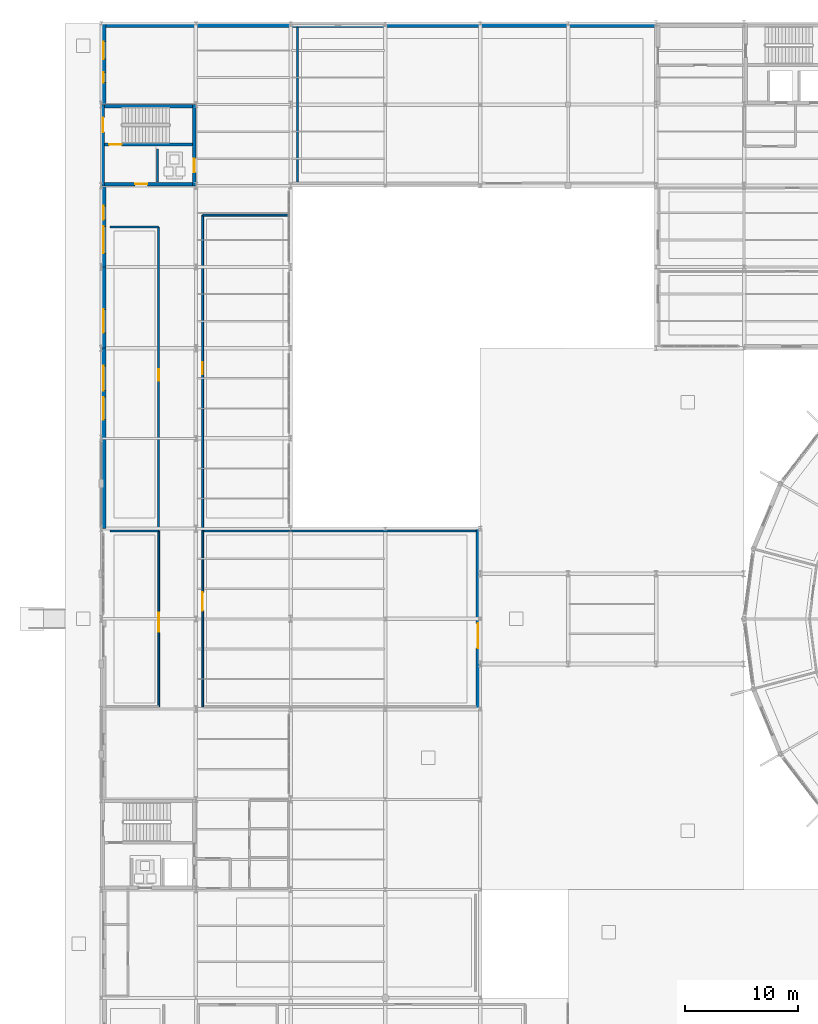
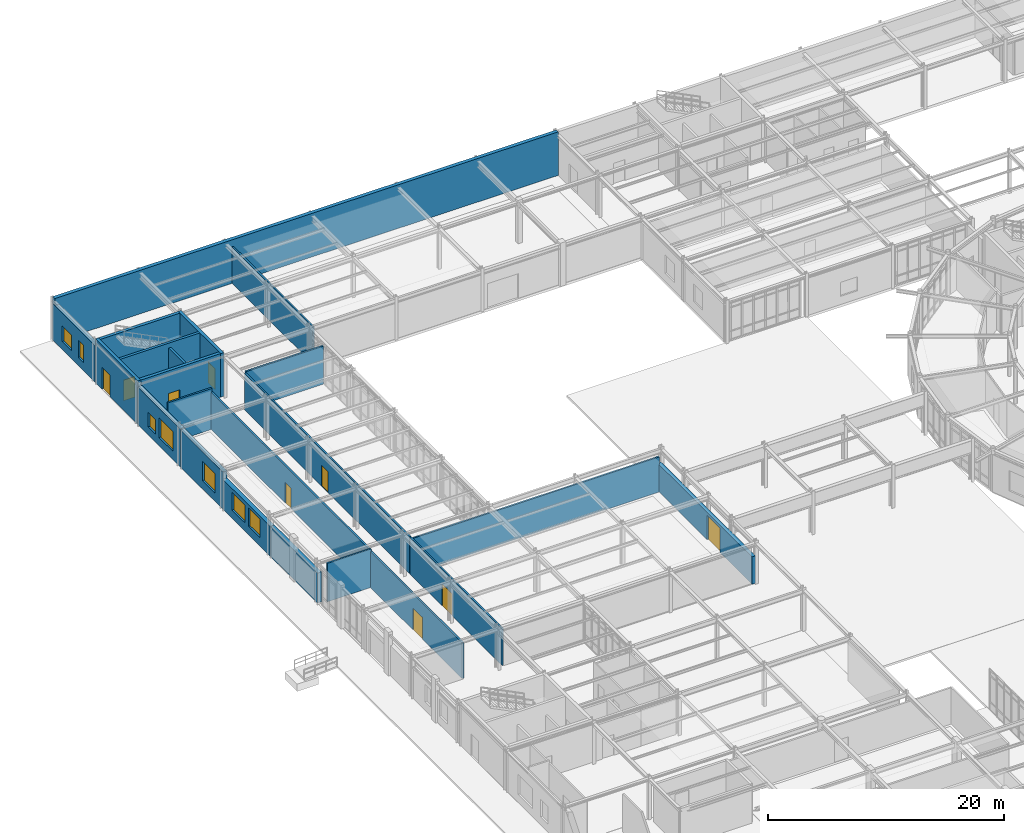
# One storey, part 83 of 101: 22 walls, 9 doors, 7 windows, 16 openings.
"""IFC4 building model written with IfcOpenShell, lengths in metres."""

from ifc_helpers import new_model, si_unit, derived_unit, direction, frame, frame_2d, origin, place, context, subcontext, project, spatial, rectangle, extrude, material, layer, layer_set, type_object, element, fill, save


model = new_model("IFC4")

# Units and contexts
model_context = context("Model", 3, precision=1e-05, world=origin(), true_north=direction((0.0, 1.0)))
body_context = subcontext(model_context, "Body", "Model", "MODEL_VIEW")
ifc_project = project(units=[si_unit("LENGTHUNIT", "METRE"), si_unit("AREAUNIT", "SQUARE_METRE"), si_unit("VOLUMEUNIT", "CUBIC_METRE"), si_unit("PLANEANGLEUNIT", "RADIAN"), si_unit("MASSUNIT", "GRAM", prefix="KILO"), derived_unit("THERMALTRANSMITTANCEUNIT", [(si_unit("POWERUNIT", "WATT"), 1), (si_unit("AREAUNIT", "SQUARE_METRE"), -1), (si_unit("THERMODYNAMICTEMPERATUREUNIT", "KELVIN"), -1)])], contexts=[model_context])

# Site, building, storey
site_placement = place(None, origin())
site = spatial("IfcSite", under=ifc_project, at=site_placement, CompositionType="ELEMENT")
building_placement = place(site_placement, origin())
building = spatial("IfcBuilding", under=site, at=building_placement, Name="Yasenodar Specialist Clinic", CompositionType="ELEMENT")
storey_placement = place(building_placement, origin())
storey = spatial("IfcBuildingStorey", under=building, at=storey_placement, Name="L00", CompositionType="ELEMENT", Elevation=0.0)

# Wall
ifc_material_1 = material(Name="Kapustianske Red Granite Ashlar Rainscreen", Category="masonry")
ifc_layer_1 = layer(ifc_material_1, 0.419921875)
ifc_layer_set_1 = layer_set([ifc_layer_1], Name="Kapustianske Red Granite Ashlar Rainscreen")
wall_type_1 = type_object("IfcWallType", Name="EW-GRAN-420", PredefinedType="SOLIDWALL", material=ifc_layer_set_1)
wall_1_placement = place(storey_placement, frame((0.199951171875, 66.800048828125, 0.0), z_axis=(0.0, 0.0, 1.0), x_axis=(0.0, 1.0, 0.0)))
element("IfcWall", 1, at=wall_1_placement, inside=storey, type_object=wall_type_1, Name="L00 Exterior Facade Wall 0083", PredefinedType="SOLIDWALL", context=body_context, shape_type="SweptSolid", body=[
    extrude(rectangle(XDim=8.0, YDim=0.419921875, at=frame_2d((4.0, 0.0))), origin(), (0.0, 0.0, 1.0), 3.077880859375),
])

# Wall, openings, windows
wall_2_placement = place(storey_placement, frame((0.199951171875, 74.800048828125, 0.0), z_axis=(0.0, 0.0, 1.0), x_axis=(0.0, 1.0, 0.0)))
wall_2 = element("IfcWall", 2, at=wall_2_placement, inside=storey, type_object=wall_type_1, Name="L00 Exterior Facade Wall 0084", PredefinedType="SOLIDWALL", context=body_context, shape_type="SweptSolid", body=[
    extrude(rectangle(XDim=8.0, YDim=0.419921875, at=frame_2d((4.0, 0.0))), origin(), (0.0, 0.0, 1.0), 3.077880859375),
])
opening_1_placement = place(wall_2_placement, frame((1.666748046875, 0.0, 0.85009765625)))
opening_1 = element("IfcOpeningElement", 3, at=opening_1_placement, cuts=wall_2, Name="Opening W-06", PredefinedType="OPENING", context=body_context, shape_type="SweptSolid", body=[
    extrude(rectangle(XDim=2.0, YDim=1.949951171875, at=frame_2d((1.0, 0.97509765625))), frame((0.0, 0.219970703125, 0.0), z_axis=(0.0, -1.0, 0.0), x_axis=(1.0, 0.0, 0.0)), (0.0, 0.0, 1.0), 0.43994140625),
])
opening_2_placement = place(wall_2_placement, frame((4.2333984375, 0.0, 0.85009765625)))
opening_2 = element("IfcOpeningElement", 4, at=opening_2_placement, cuts=wall_2, Name="Opening W-13", PredefinedType="OPENING", context=body_context, shape_type="SweptSolid", body=[
    extrude(rectangle(XDim=2.199951171875, YDim=1.85009765625, at=frame_2d((1.10009765625, 0.925048828125))), frame((0.0, 0.219970703125, 0.0), z_axis=(0.0, -1.0, 0.0), x_axis=(1.0, 0.0, 0.0)), (0.0, 0.0, 1.0), 0.43994140625),
])
ifc_material_2 = material(Name="Triple Low-E Argon Glazing in Bronze Aluminium Frame", Category="aluminium")
window_type_1 = type_object("IfcWindowType", Name="WIN-EXT-06", PartitioningType="SINGLE_PANEL", PredefinedType="WINDOW", material=ifc_material_2)
window_1_placement = place(opening_1_placement, origin())
window_1 = element("IfcWindow", 5, at=window_1_placement, inside=storey, type_object=window_type_1, Name="L00 Triple-Glazed Reveal Window 0070", OverallHeight=1.949951171875, OverallWidth=2.0, PartitioningType="SINGLE_PANEL", PredefinedType="WINDOW", context=body_context, shape_type="SweptSolid", body=[
    extrude(rectangle(XDim=2.0, YDim=1.949951171875, at=frame_2d((1.0, 0.97509765625))), frame((0.0, 0.030029296875, 0.0), z_axis=(0.0, -1.0, 0.0), x_axis=(1.0, 0.0, 0.0)), (0.0, 0.0, 1.0), 0.06005859375),
])
fill(opening_1, window_1)
window_type_2 = type_object("IfcWindowType", Name="WIN-EXT-13", PartitioningType="SINGLE_PANEL", PredefinedType="WINDOW", material=ifc_material_2)
window_2_placement = place(opening_2_placement, origin())
window_2 = element("IfcWindow", 6, at=window_2_placement, inside=storey, type_object=window_type_2, Name="L00 Triple-Glazed Reveal Window 0071", OverallHeight=1.85009765625, OverallWidth=2.199951171875, PartitioningType="SINGLE_PANEL", PredefinedType="WINDOW", context=body_context, shape_type="SweptSolid", body=[
    extrude(rectangle(XDim=2.199951171875, YDim=1.85009765625, at=frame_2d((1.10009765625, 0.925048828125))), frame((0.0, 0.030029296875, 0.0), z_axis=(0.0, -1.0, 0.0), x_axis=(1.0, 0.0, 0.0)), (0.0, 0.0, 1.0), 0.06005859375),
])
fill(opening_2, window_2)

# Wall, opening, window
wall_3_placement = place(storey_placement, frame((0.199951171875, 82.800048828125, 0.0), z_axis=(0.0, 0.0, 1.0), x_axis=(0.0, 1.0, 0.0)))
wall_3 = element("IfcWall", 7, at=wall_3_placement, inside=storey, type_object=wall_type_1, Name="L00 Exterior Facade Wall 0085", PredefinedType="SOLIDWALL", context=body_context, shape_type="SweptSolid", body=[
    extrude(rectangle(XDim=7.199951171875, YDim=0.419921875, at=frame_2d((3.60009765625, 0.0))), origin(), (0.0, 0.0, 1.0), 3.837890625),
])
opening_3_placement = place(wall_3_placement, frame((1.35009765625, 0.0, 0.85009765625)))
opening_3 = element("IfcOpeningElement", 8, at=opening_3_placement, cuts=wall_3, Name="Opening W-07", PredefinedType="OPENING", context=body_context, shape_type="SweptSolid", body=[
    extrude(rectangle(XDim=2.10009765625, YDim=2.0, at=frame_2d((1.050048828125, 1.0))), frame((0.0, 0.219970703125, 0.0), z_axis=(0.0, -1.0, 0.0), x_axis=(1.0, 0.0, 0.0)), (0.0, 0.0, 1.0), 0.43994140625),
])
window_type_3 = type_object("IfcWindowType", Name="WIN-EXT-07", PartitioningType="SINGLE_PANEL", PredefinedType="WINDOW", material=ifc_material_2)
window_3_placement = place(opening_3_placement, origin())
window_3 = element("IfcWindow", 9, at=window_3_placement, inside=storey, type_object=window_type_3, Name="L00 Triple-Glazed Reveal Window 0072", OverallHeight=2.0, OverallWidth=2.10009765625, PartitioningType="SINGLE_PANEL", PredefinedType="WINDOW", context=body_context, shape_type="SweptSolid", body=[
    extrude(rectangle(XDim=2.10009765625, YDim=2.0, at=frame_2d((1.050048828125, 1.0))), frame((0.0, 0.030029296875, 0.0), z_axis=(0.0, -1.0, 0.0), x_axis=(1.0, 0.0, 0.0)), (0.0, 0.0, 1.0), 0.06005859375),
])
fill(opening_3, window_3)

# Wall, openings, windows
wall_4_placement = place(storey_placement, frame((0.199951171875, 90.0, 0.0), z_axis=(0.0, 0.0, 1.0), x_axis=(0.0, 1.0, 0.0)))
wall_4 = element("IfcWall", 10, at=wall_4_placement, inside=storey, type_object=wall_type_1, Name="L00 Exterior Facade Wall 0086", PredefinedType="SOLIDWALL", context=body_context, shape_type="SweptSolid", body=[
    extrude(rectangle(XDim=7.199951171875, YDim=0.419921875, at=frame_2d((3.60009765625, 0.0))), origin(), (0.0, 0.0, 1.0), 3.89794921875),
])
opening_4_placement = place(wall_4_placement, frame((1.199951171875, 0.0, 0.85009765625)))
opening_4 = element("IfcOpeningElement", 11, at=opening_4_placement, cuts=wall_4, Name="Opening W-08", PredefinedType="OPENING", context=body_context, shape_type="SweptSolid", body=[
    extrude(rectangle(XDim=2.39990234375, YDim=2.050048828125, at=frame_2d((1.199951171875, 1.02490234375))), frame((0.0, 0.219970703125, 0.0), z_axis=(0.0, -1.0, 0.0), x_axis=(1.0, 0.0, 0.0)), (0.0, 0.0, 1.0), 0.43994140625),
])
opening_5_placement = place(wall_4_placement, frame((4.175048828125, 0.0, 0.85009765625)))
opening_5 = element("IfcOpeningElement", 12, at=opening_5_placement, cuts=wall_4, Name="Opening W-15", PredefinedType="OPENING", context=body_context, shape_type="SweptSolid", body=[
    extrude(rectangle(XDim=1.25, YDim=1.5, at=frame_2d((0.625, 0.75))), frame((0.0, 0.219970703125, 0.0), z_axis=(0.0, -1.0, 0.0), x_axis=(1.0, 0.0, 0.0)), (0.0, 0.0, 1.0), 0.43994140625),
])
window_type_4 = type_object("IfcWindowType", Name="WIN-EXT-08", PartitioningType="SINGLE_PANEL", PredefinedType="WINDOW", material=ifc_material_2)
window_4_placement = place(opening_4_placement, origin())
window_4 = element("IfcWindow", 13, at=window_4_placement, inside=storey, type_object=window_type_4, Name="L00 Triple-Glazed Reveal Window 0073", OverallHeight=2.050048828125, OverallWidth=2.39990234375, PartitioningType="SINGLE_PANEL", PredefinedType="WINDOW", context=body_context, shape_type="SweptSolid", body=[
    extrude(rectangle(XDim=2.39990234375, YDim=2.050048828125, at=frame_2d((1.199951171875, 1.02490234375))), frame((0.0, 0.030029296875, 0.0), z_axis=(0.0, -1.0, 0.0), x_axis=(1.0, 0.0, 0.0)), (0.0, 0.0, 1.0), 0.06005859375),
])
fill(opening_4, window_4)
window_type_5 = type_object("IfcWindowType", Name="WIN-EXT-15", PartitioningType="SINGLE_PANEL", PredefinedType="WINDOW", material=ifc_material_2)
window_5_placement = place(opening_5_placement, origin())
window_5 = element("IfcWindow", 14, at=window_5_placement, inside=storey, type_object=window_type_5, Name="L00 Triple-Glazed Reveal Window 0074", OverallHeight=1.5, OverallWidth=1.25, PartitioningType="SINGLE_PANEL", PredefinedType="WINDOW", context=body_context, shape_type="SweptSolid", body=[
    extrude(rectangle(XDim=1.25, YDim=1.5, at=frame_2d((0.625, 0.75))), frame((0.0, 0.030029296875, 0.0), z_axis=(0.0, -1.0, 0.0), x_axis=(1.0, 0.0, 0.0)), (0.0, 0.0, 1.0), 0.06005859375),
])
fill(opening_5, window_5)

wall_5_placement = place(storey_placement, frame((0.199951171875, 104.39990234375, 0.0), z_axis=(0.0, 0.0, 1.0), x_axis=(0.0, 1.0, 0.0)))
wall_5 = element("IfcWall", 15, at=wall_5_placement, inside=storey, type_object=wall_type_1, Name="L00 Exterior Facade Wall 0087", PredefinedType="SOLIDWALL", context=body_context, shape_type="SweptSolid", body=[
    extrude(rectangle(XDim=7.2001953125, YDim=0.419921875, at=frame_2d((3.60009765625, 0.0))), origin(), (0.0, 0.0, 1.0), 3.778076171875),
])
opening_6_placement = place(wall_5_placement, frame((1.949951171875, 0.0, 0.85009765625)))
opening_6 = element("IfcOpeningElement", 16, at=opening_6_placement, cuts=wall_5, Name="Opening W-09", PredefinedType="OPENING", context=body_context, shape_type="SweptSolid", body=[
    extrude(rectangle(XDim=0.89990234375, YDim=1.800048828125, at=frame_2d((0.449951171875, 0.89990234375))), frame((0.0, 0.219970703125, 0.0), z_axis=(0.0, -1.0, 0.0), x_axis=(1.0, 0.0, 0.0)), (0.0, 0.0, 1.0), 0.43994140625),
])
opening_7_placement = place(wall_5_placement, frame((4.02490234375, 0.0, 0.85009765625)))
opening_7 = element("IfcOpeningElement", 17, at=opening_7_placement, cuts=wall_5, Name="Opening W-16", PredefinedType="OPENING", context=body_context, shape_type="SweptSolid", body=[
    extrude(rectangle(XDim=1.550048828125, YDim=1.60009765625, at=frame_2d((0.77490234375, 0.800048828125))), frame((0.0, 0.219970703125, 0.0), z_axis=(0.0, -1.0, 0.0), x_axis=(1.0, 0.0, 0.0)), (0.0, 0.0, 1.0), 0.43994140625),
])
window_type_6 = type_object("IfcWindowType", Name="WIN-EXT-09", PartitioningType="SINGLE_PANEL", PredefinedType="WINDOW", material=ifc_material_2)
window_6_placement = place(opening_6_placement, origin())
window_6 = element("IfcWindow", 18, at=window_6_placement, inside=storey, type_object=window_type_6, Name="L00 Triple-Glazed Reveal Window 0075", OverallHeight=1.800048828125, OverallWidth=0.89990234375, PartitioningType="SINGLE_PANEL", PredefinedType="WINDOW", context=body_context, shape_type="SweptSolid", body=[
    extrude(rectangle(XDim=0.89990234375, YDim=1.800048828125, at=frame_2d((0.449951171875, 0.89990234375))), frame((0.0, 0.030029296875, 0.0), z_axis=(0.0, -1.0, 0.0), x_axis=(1.0, 0.0, 0.0)), (0.0, 0.0, 1.0), 0.06005859375),
])
fill(opening_6, window_6)
window_type_7 = type_object("IfcWindowType", Name="WIN-EXT-16", PartitioningType="SINGLE_PANEL", PredefinedType="WINDOW", material=ifc_material_2)
window_7_placement = place(opening_7_placement, origin())
window_7 = element("IfcWindow", 19, at=window_7_placement, inside=storey, type_object=window_type_7, Name="L00 Triple-Glazed Reveal Window 0076", OverallHeight=1.60009765625, OverallWidth=1.550048828125, PartitioningType="SINGLE_PANEL", PredefinedType="WINDOW", context=body_context, shape_type="SweptSolid", body=[
    extrude(rectangle(XDim=1.550048828125, YDim=1.60009765625, at=frame_2d((0.77490234375, 0.800048828125))), frame((0.0, 0.030029296875, 0.0), z_axis=(0.0, -1.0, 0.0), x_axis=(1.0, 0.0, 0.0)), (0.0, 0.0, 1.0), 0.06005859375),
])
fill(opening_7, window_7)

# Wall, opening, door
ifc_material_3 = material(Name="Buff Architectural Terracotta Rainscreen", Category="masonry")
ifc_layer_2 = layer(ifc_material_3, 0.340087890625)
ifc_layer_set_2 = layer_set([ifc_layer_2], Name="Buff Architectural Terracotta Rainscreen")
wall_type_2 = type_object("IfcWallType", Name="EW-TERR-340", PredefinedType="SOLIDWALL", material=ifc_layer_set_2)
wall_6_placement = place(storey_placement, frame((33.39990234375, 66.800048828125, 0.0), z_axis=(0.0, 0.0, 1.0), x_axis=(0.0, -1.0, 0.0)))
wall_6 = element("IfcWall", 20, at=wall_6_placement, inside=storey, type_object=wall_type_2, Name="L00 Exterior Facade Wall 0088", PredefinedType="SOLIDWALL", context=body_context, shape_type="SweptSolid", body=[
    extrude(rectangle(XDim=16.0, YDim=0.340087890625, at=frame_2d((8.0, 0.0))), origin(), (0.0, 0.0, 1.0), 2.827880859375),
])
opening_8_placement = place(wall_6_placement, frame((8.39990234375, 0.0, 0.0)))
opening_8 = element("IfcOpeningElement", 21, at=opening_8_placement, cuts=wall_6, Name="Opening EX-04", PredefinedType="OPENING", context=body_context, shape_type="SweptSolid", body=[
    extrude(rectangle(XDim=2.199951171875, YDim=2.5, at=frame_2d((1.10009765625, 1.25))), frame((0.0, 0.18017578125, 0.0), z_axis=(0.0, -1.0, 0.0), x_axis=(1.0, 0.0, 0.0)), (0.0, 0.0, 1.0), 0.360107421875),
])
ifc_material_4 = material(Name="Thermally Broken Bronze Anodized Aluminium and Laminated Glass", Category="aluminium")
door_type_1 = type_object("IfcDoorType", Name="DR-EX-220", OperationType="DOUBLE_DOOR_SINGLE_SWING", PredefinedType="DOOR", material=ifc_material_4)
door_1_placement = place(opening_8_placement, origin())
door_1 = element("IfcDoor", 22, at=door_1_placement, inside=storey, type_object=door_type_1, Name="L00 Arrival Forecourt Outpatient Exit EX-09", OperationType="DOUBLE_DOOR_SINGLE_SWING", OverallHeight=2.5, OverallWidth=2.199951171875, PredefinedType="DOOR", context=body_context, shape_type="SweptSolid", body=[
    extrude(rectangle(XDim=2.199951171875, YDim=2.5, at=frame_2d((1.10009765625, 1.25))), frame((0.0, 0.02490234375, 0.0), z_axis=(0.0, -1.0, 0.0), x_axis=(1.0, 0.0, 0.0)), (0.0, 0.0, 1.0), 0.050048828125),
])
fill(opening_8, door_1)

ifc_material_5 = material(Name="Acoustic Double-Gypsum Consulting Partition")
ifc_layer_3 = layer(ifc_material_5, 0.159912109375)
ifc_layer_set_3 = layer_set([ifc_layer_3], Name="Acoustic Double-Gypsum Consulting Partition")
wall_type_3 = type_object("IfcWallType", Name="IW-CONS-160", PredefinedType="PARTITIONING", material=ifc_layer_set_3)
wall_7_placement = place(storey_placement, frame((5.10009765625, 66.60009765625, 0.0), z_axis=(0.0, 0.0, 1.0), x_axis=(0.0, -1.0, 0.0)))
wall_7 = element("IfcWall", 23, at=wall_7_placement, inside=storey, type_object=wall_type_3, Name="L00 Pishtaq Entrance Hall Partition", PredefinedType="PARTITIONING", context=body_context, shape_type="SweptSolid", body=[
    extrude(rectangle(XDim=15.60009765625, YDim=0.159912109375, at=frame_2d((7.800048828125, 0.0))), origin(), (0.0, 0.0, 1.0), 3.72802734375),
])
opening_9_placement = place(wall_7_placement, frame((7.25, 0.0, 0.0)))
opening_9 = element("IfcOpeningElement", 24, at=opening_9_placement, cuts=wall_7, Name="Opening D-10", PredefinedType="OPENING", context=body_context, shape_type="SweptSolid", body=[
    extrude(rectangle(XDim=1.679931640625, YDim=2.260009765625, at=frame_2d((0.83984375, 1.1298828125))), frame((0.0, 0.08984375, 0.0), z_axis=(0.0, -1.0, 0.0), x_axis=(1.0, 0.0, 0.0)), (0.0, 0.0, 1.0), 0.179931640625),
])
ifc_material_6 = material(Name="Powder-Coated Steel and Acoustic Laminate Leaf", Category="steel")
door_type_2 = type_object("IfcDoorType", Name="DR-BED-168", OperationType="DOUBLE_DOOR_SINGLE_SWING", PredefinedType="DOOR", material=ifc_material_6)
door_2_placement = place(opening_9_placement, origin())
door_2 = element("IfcDoor", 25, at=door_2_placement, inside=storey, type_object=door_type_2, Name="L00 Pishtaq Entrance Hall Door", OperationType="DOUBLE_DOOR_SINGLE_SWING", OverallHeight=2.260009765625, OverallWidth=1.679931640625, PredefinedType="DOOR", context=body_context, shape_type="SweptSolid", body=[
    extrude(rectangle(XDim=1.679931640625, YDim=2.260009765625, at=frame_2d((0.83984375, 1.1298828125))), frame((0.0, 0.02490234375, 0.0), z_axis=(0.0, -1.0, 0.0), x_axis=(1.0, 0.0, 0.0)), (0.0, 0.0, 1.0), 0.050048828125),
])
fill(opening_9, door_2)

# Wall
wall_8_placement = place(storey_placement, frame((0.800048828125, 66.60009765625, 0.0), z_axis=(0.0, 0.0, 1.0), x_axis=(1.0, 0.0, 0.0)))
element("IfcWall", 26, at=wall_8_placement, inside=storey, type_object=wall_type_3, Name="L00 Pishtaq Entrance Hall Partition", PredefinedType="PARTITIONING", context=body_context, shape_type="SweptSolid", body=[
    extrude(rectangle(XDim=4.300048828125, YDim=0.159912109375, at=frame_2d((2.14990234375, 0.0))), origin(), (0.0, 0.0, 1.0), 3.97802734375),
])

# Wall, opening, door
wall_9_placement = place(storey_placement, frame((9.0, 51.0, 0.0), z_axis=(0.0, 0.0, 1.0), x_axis=(0.0, 1.0, 0.0)))
wall_9 = element("IfcWall", 27, at=wall_9_placement, inside=storey, type_object=wall_type_3, Name="L00 Outpatient Registration and Triage Hall Partition", PredefinedType="PARTITIONING", context=body_context, shape_type="SweptSolid", body=[
    extrude(rectangle(XDim=15.60009765625, YDim=0.159912109375, at=frame_2d((7.800048828125, 0.0))), origin(), (0.0, 0.0, 1.0), 3.778076171875),
])
opening_10_placement = place(wall_9_placement, frame((8.5, 0.0, 0.0)))
opening_10 = element("IfcOpeningElement", 28, at=opening_10_placement, cuts=wall_9, Name="Opening D-10", PredefinedType="OPENING", context=body_context, shape_type="SweptSolid", body=[
    extrude(rectangle(XDim=1.679931640625, YDim=2.260009765625, at=frame_2d((0.83984375, 1.1298828125))), frame((0.0, 0.08984375, 0.0), z_axis=(0.0, -1.0, 0.0), x_axis=(1.0, 0.0, 0.0)), (0.0, 0.0, 1.0), 0.179931640625),
])
door_3_placement = place(opening_10_placement, origin())
door_3 = element("IfcDoor", 29, at=door_3_placement, inside=storey, type_object=door_type_2, Name="L00 Outpatient Registration and Triage Hall Door", OperationType="DOUBLE_DOOR_SINGLE_SWING", OverallHeight=2.260009765625, OverallWidth=1.679931640625, PredefinedType="DOOR", context=body_context, shape_type="SweptSolid", body=[
    extrude(rectangle(XDim=1.679931640625, YDim=2.260009765625, at=frame_2d((0.83984375, 1.1298828125))), frame((0.0, 0.02490234375, 0.0), z_axis=(0.0, -1.0, 0.0), x_axis=(1.0, 0.0, 0.0)), (0.0, 0.0, 1.0), 0.050048828125),
])
fill(opening_10, door_3)

# Walls
wall_10_placement = place(storey_placement, frame((9.0, 66.60009765625, 0.0), z_axis=(0.0, 0.0, 1.0), x_axis=(1.0, 0.0, 0.0)))
element("IfcWall", 30, at=wall_10_placement, inside=storey, type_object=wall_type_3, Name="L00 Outpatient Registration and Triage Hall Partition", PredefinedType="PARTITIONING", context=body_context, shape_type="SweptSolid", body=[
    extrude(rectangle(XDim=24.25, YDim=0.159912109375, at=frame_2d((12.125, 0.0))), origin(), (0.0, 0.0, 1.0), 3.6279296875),
])
wall_11_placement = place(storey_placement, frame((17.39990234375, 97.53759765625, 0.0), z_axis=(0.0, 0.0, 1.0), x_axis=(0.0, 1.0, 0.0)))
element("IfcWall", 31, at=wall_11_placement, inside=storey, type_object=wall_type_3, Name="L00 Outpatient Dispensary Pharmacy Partition", PredefinedType="PARTITIONING", context=body_context, shape_type="SweptSolid", body=[
    extrude(rectangle(XDim=13.732421875, YDim=0.159912109375, at=frame_2d((6.8662109375, 0.0))), origin(), (0.0, 0.0, 1.0), 3.7880859375),
])

# Wall, opening, door
ifc_material_7 = material(Name="Cleanroom Laboratory Partition")
ifc_layer_4 = layer(ifc_material_7, 0.169921875)
ifc_layer_set_4 = layer_set([ifc_layer_4], Name="Cleanroom Laboratory Partition")
wall_type_4 = type_object("IfcWallType", Name="IW-LAB-170", PredefinedType="PARTITIONING", material=ifc_layer_set_4)
wall_12_placement = place(storey_placement, frame((9.0, 94.60009765625, 0.0), z_axis=(0.0, 0.0, 1.0), x_axis=(0.0, -1.0, 0.0)))
wall_12 = element("IfcWall", 32, at=wall_12_placement, inside=storey, type_object=wall_type_4, Name="L00 Family Medicine Consulting Suite Partition", PredefinedType="PARTITIONING", context=body_context, shape_type="SweptSolid", body=[
    extrude(rectangle(XDim=27.940185546875, YDim=0.169921875, at=frame_2d((13.97021484375, 0.0))), origin(), (0.0, 0.0, 1.0), 3.7880859375),
])
opening_11_placement = place(wall_12_placement, frame((13.050048828125, 0.0, 0.0)))
opening_11 = element("IfcOpeningElement", 33, at=opening_11_placement, cuts=wall_12, Name="Opening D-04", PredefinedType="OPENING", context=body_context, shape_type="SweptSolid", body=[
    extrude(rectangle(XDim=1.06005859375, YDim=2.159912109375, at=frame_2d((0.530029296875, 1.080078125))), frame((0.0, 0.094970703125, 0.0), z_axis=(0.0, -1.0, 0.0), x_axis=(1.0, 0.0, 0.0)), (0.0, 0.0, 1.0), 0.18994140625),
])
door_type_3 = type_object("IfcDoorType", Name="DR-CLN-106", OperationType="NOTDEFINED", PredefinedType="DOOR", material=ifc_material_6)
door_4_placement = place(opening_11_placement, origin())
door_4 = element("IfcDoor", 34, at=door_4_placement, inside=storey, type_object=door_type_3, Name="L00 Family Medicine Consulting Suite Door", OperationType="SINGLE_SWING_LEFT", OverallHeight=2.159912109375, OverallWidth=1.06005859375, PredefinedType="DOOR", context=body_context, shape_type="SweptSolid", body=[
    extrude(rectangle(XDim=1.06005859375, YDim=2.159912109375, at=frame_2d((0.530029296875, 1.080078125))), frame((0.0, 0.02490234375, 0.0), z_axis=(0.0, -1.0, 0.0), x_axis=(1.0, 0.0, 0.0)), (0.0, 0.0, 1.0), 0.050048828125),
])
fill(opening_11, door_4)

# Wall
wall_13_placement = place(storey_placement, frame((16.590087890625, 94.60009765625, 0.0), z_axis=(0.0, 0.0, 1.0), x_axis=(-1.0, 0.0, 0.0)))
element("IfcWall", 35, at=wall_13_placement, inside=storey, type_object=wall_type_4, Name="L00 Family Medicine Consulting Suite Partition", PredefinedType="PARTITIONING", context=body_context, shape_type="SweptSolid", body=[
    extrude(rectangle(XDim=7.590087890625, YDim=0.169921875, at=frame_2d((3.794921875, 0.0))), origin(), (0.0, 0.0, 1.0), 3.927978515625),
])

# Wall, opening, door
ifc_material_8 = material(Name="Hygienic Double-Stud Clinical Partition")
ifc_layer_5 = layer(ifc_material_8, 0.179931640625)
ifc_layer_set_5 = layer_set([ifc_layer_5], Name="Hygienic Double-Stud Clinical Partition")
wall_type_5 = type_object("IfcWallType", Name="IW-PROC-180", PredefinedType="PARTITIONING", material=ifc_layer_set_5)
wall_14_placement = place(storey_placement, frame((5.10009765625, 66.659912109375, 0.0), z_axis=(0.0, 0.0, 1.0), x_axis=(0.0, 1.0, 0.0)))
wall_14 = element("IfcWall", 36, at=wall_14_placement, inside=storey, type_object=wall_type_5, Name="L00 Internal Medicine Examination Rooms Partition", PredefinedType="PARTITIONING", context=body_context, shape_type="SweptSolid", body=[
    extrude(rectangle(XDim=26.89013671875, YDim=0.179931640625, at=frame_2d((13.445068359375, 0.0))), origin(), (0.0, 0.0, 1.0), 3.827880859375),
])
opening_12_placement = place(wall_14_placement, frame((13.264892578125, 0.0, 0.0)))
opening_12 = element("IfcOpeningElement", 37, at=opening_12_placement, cuts=wall_14, Name="Opening D-03", PredefinedType="OPENING", context=body_context, shape_type="SweptSolid", body=[
    extrude(rectangle(XDim=1.02001953125, YDim=2.14990234375, at=frame_2d((0.510009765625, 1.074951171875))), frame((0.0, 0.10009765625, 0.0), z_axis=(0.0, -1.0, 0.0), x_axis=(1.0, 0.0, 0.0)), (0.0, 0.0, 1.0), 0.199951171875),
])
door_type_4 = type_object("IfcDoorType", Name="DR-CLN-102", OperationType="NOTDEFINED", PredefinedType="DOOR", material=ifc_material_6)
door_5_placement = place(opening_12_placement, origin())
door_5 = element("IfcDoor", 38, at=door_5_placement, inside=storey, type_object=door_type_4, Name="L00 Internal Medicine Examination Rooms Door", OperationType="SINGLE_SWING_RIGHT", OverallHeight=2.14990234375, OverallWidth=1.02001953125, PredefinedType="DOOR", context=body_context, shape_type="SweptSolid", body=[
    extrude(rectangle(XDim=1.02001953125, YDim=2.14990234375, at=frame_2d((0.510009765625, 1.074951171875))), frame((0.0, 0.02490234375, 0.0), z_axis=(0.0, -1.0, 0.0), x_axis=(1.0, 0.0, 0.0)), (0.0, 0.0, 1.0), 0.050048828125),
])
fill(opening_12, door_5)

# Walls
wall_15_placement = place(storey_placement, frame((5.10009765625, 93.550048828125, 0.0), z_axis=(0.0, 0.0, 1.0), x_axis=(-1.0, 0.0, 0.0)))
element("IfcWall", 39, at=wall_15_placement, inside=storey, type_object=wall_type_5, Name="L00 Internal Medicine Examination Rooms Partition", PredefinedType="PARTITIONING", context=body_context, shape_type="SweptSolid", body=[
    extrude(rectangle(XDim=4.300048828125, YDim=0.179931640625, at=frame_2d((2.14990234375, 0.0))), origin(), (0.0, 0.0, 1.0), 4.22998046875),
])
ifc_material_9 = material(Name="Aerated Concrete Blockwork Fire Shaft Wall", Category="masonry")
ifc_layer_6 = layer(ifc_material_9, 0.205078125)
ifc_layer_set_6 = layer_set([ifc_layer_6], Name="Aerated Concrete Blockwork Fire Shaft Wall")
wall_type_6 = type_object("IfcWallType", Name="IW-SHAFT-205", PredefinedType="PARTITIONING", material=ifc_layer_set_6)
wall_16_placement = place(storey_placement, frame((5.0, 97.550048828125, 0.0), z_axis=(0.0, 0.0, 1.0), x_axis=(0.0, 1.0, 0.0)))
element("IfcWall", 40, at=wall_16_placement, inside=storey, type_object=wall_type_6, Name="L00 LF-03 Lift Shaft Side Wall", PredefinedType="PARTITIONING", context=body_context, shape_type="SweptSolid", body=[
    extrude(rectangle(XDim=2.89990234375, YDim=0.205078125, at=frame_2d((1.449951171875, 0.0))), origin(), (0.0, 0.0, 1.0), 4.22998046875),
])

# Wall, opening, door
ifc_material_10 = material(Name="Concrete C35/45", Category="concrete")
ifc_layer_7 = layer(ifc_material_10, 0.25)
ifc_layer_set_7 = layer_set([ifc_layer_7], Name="Concrete C35/45")
wall_type_7 = type_object("IfcWallType", Name="WL-CORE-250", PredefinedType="SHEAR", material=ifc_layer_set_7)
wall_17_placement = place(storey_placement, frame((0.300048828125, 100.85009765625, 0.0), z_axis=(0.0, 0.0, 1.0), x_axis=(1.0, 0.0, 0.0)))
wall_17 = element("IfcWall", 41, at=wall_17_placement, inside=storey, type_object=wall_type_7, Name="L00 Core C2 Central Spine Wall", PredefinedType="SHEAR", context=body_context, shape_type="SweptSolid", body=[
    extrude(rectangle(XDim=7.800048828125, YDim=0.25, at=frame_2d((3.89990234375, 0.0))), origin(), (0.0, 0.0, 1.0), 4.5),
])
opening_13_placement = place(wall_17_placement, frame((0.39990234375, 0.0, 0.0)))
opening_13 = element("IfcOpeningElement", 42, at=opening_13_placement, cuts=wall_17, Name="Opening FD-01", PredefinedType="OPENING", context=body_context, shape_type="SweptSolid", body=[
    extrude(rectangle(XDim=1.10009765625, YDim=2.14990234375, at=frame_2d((0.550048828125, 1.074951171875))), frame((0.0, 0.135009765625, 0.0), z_axis=(0.0, -1.0, 0.0), x_axis=(1.0, 0.0, 0.0)), (0.0, 0.0, 1.0), 0.27001953125),
])
ifc_material_11 = material(Name="Fire-Rated Insulated Steel Door", Category="steel")
door_type_5 = type_object("IfcDoorType", Name="DR-FD-110", OperationType="NOTDEFINED", PredefinedType="DOOR", material=ifc_material_11)
door_6_placement = place(opening_13_placement, origin())
door_6 = element("IfcDoor", 43, at=door_6_placement, inside=storey, type_object=door_type_5, Name="L00 ST-02 Protected Stair Door", OperationType="SINGLE_SWING_RIGHT", OverallHeight=2.14990234375, OverallWidth=1.10009765625, PredefinedType="DOOR", context=body_context, shape_type="SweptSolid", body=[
    extrude(rectangle(XDim=1.10009765625, YDim=2.14990234375, at=frame_2d((0.550048828125, 1.074951171875))), frame((0.0, 0.02490234375, 0.0), z_axis=(0.0, -1.0, 0.0), x_axis=(1.0, 0.0, 0.0)), (0.0, 0.0, 1.0), 0.050048828125),
])
fill(opening_13, door_6)

# Wall
ifc_layer_8 = layer(ifc_material_10, 0.300048828125)
ifc_layer_set_8 = layer_set([ifc_layer_8], Name="Concrete C35/45")
wall_type_8 = type_object("IfcWallType", Name="WL-CORE-300", PredefinedType="SHEAR", material=ifc_layer_set_8)
wall_18_placement = place(storey_placement, frame((0.0, 104.25, 0.0), z_axis=(0.0, 0.0, 1.0), x_axis=(1.0, 0.0, 0.0)))
element("IfcWall", 44, at=wall_18_placement, inside=storey, type_object=wall_type_8, Name="L00 Core C2 North Shear Wall", PredefinedType="SHEAR", context=body_context, shape_type="SweptSolid", body=[
    extrude(rectangle(XDim=8.39990234375, YDim=0.300048828125, at=frame_2d((4.199951171875, 0.0))), origin(), (0.0, 0.0, 1.0), 4.5),
])

# Wall, opening, door
wall_19_placement = place(storey_placement, frame((0.0, 97.35009765625, 0.0), z_axis=(0.0, 0.0, 1.0), x_axis=(1.0, 0.0, 0.0)))
wall_19 = element("IfcWall", 45, at=wall_19_placement, inside=storey, type_object=wall_type_8, Name="L00 Core C2 South Shear Wall", PredefinedType="SHEAR", context=body_context, shape_type="SweptSolid", body=[
    extrude(rectangle(XDim=8.39990234375, YDim=0.300048828125, at=frame_2d((4.199951171875, 0.0))), origin(), (0.0, 0.0, 1.0), 4.5),
])
opening_14_placement = place(wall_19_placement, frame((3.0, 0.0, 0.0)))
opening_14 = element("IfcOpeningElement", 46, at=opening_14_placement, cuts=wall_19, Name="Opening FD-01", PredefinedType="OPENING", context=body_context, shape_type="SweptSolid", body=[
    extrude(rectangle(XDim=1.10009765625, YDim=2.14990234375, at=frame_2d((0.550048828125, 1.074951171875))), frame((0.0, 0.16015625, 0.0), z_axis=(0.0, -1.0, 0.0), x_axis=(1.0, 0.0, 0.0)), (0.0, 0.0, 1.0), 0.320068359375),
])
door_7_placement = place(opening_14_placement, origin())
door_7 = element("IfcDoor", 47, at=door_7_placement, inside=storey, type_object=door_type_5, Name="L00 Stair ST-02 Vestibule Door", OperationType="SINGLE_SWING_RIGHT", OverallHeight=2.14990234375, OverallWidth=1.10009765625, PredefinedType="DOOR", context=body_context, shape_type="SweptSolid", body=[
    extrude(rectangle(XDim=1.10009765625, YDim=2.14990234375, at=frame_2d((0.550048828125, 1.074951171875))), frame((0.0, 0.02490234375, 0.0), z_axis=(0.0, -1.0, 0.0), x_axis=(1.0, 0.0, 0.0)), (0.0, 0.0, 1.0), 0.050048828125),
])
fill(opening_14, door_7)

wall_20_placement = place(storey_placement, frame((0.14990234375, 97.199951171875, 0.0), z_axis=(0.0, 0.0, 1.0), x_axis=(0.0, 1.0, 0.0)))
wall_20 = element("IfcWall", 48, at=wall_20_placement, inside=storey, type_object=wall_type_8, Name="L00 Core C2 West Shear Wall", PredefinedType="SHEAR", context=body_context, shape_type="SweptSolid", body=[
    extrude(rectangle(XDim=7.199951171875, YDim=0.300048828125, at=frame_2d((3.60009765625, 0.0))), origin(), (0.0, 0.0, 1.0), 4.5),
])
opening_15_placement = place(wall_20_placement, frame((4.75, 0.0, 0.0)))
opening_15 = element("IfcOpeningElement", 49, at=opening_15_placement, cuts=wall_20, Name="Opening EX-01", PredefinedType="OPENING", context=body_context, shape_type="SweptSolid", body=[
    extrude(rectangle(XDim=1.300048828125, YDim=2.25, at=frame_2d((0.64990234375, 1.125))), frame((0.0, 0.16015625, 0.0), z_axis=(0.0, -1.0, 0.0), x_axis=(1.0, 0.0, 0.0)), (0.0, 0.0, 1.0), 0.320068359375),
])
door_type_6 = type_object("IfcDoorType", Name="DR-EX-130", OperationType="NOTDEFINED", PredefinedType="DOOR", material=ifc_material_4)
door_8_placement = place(opening_15_placement, origin())
door_8 = element("IfcDoor", 50, at=door_8_placement, inside=storey, type_object=door_type_6, Name="L00 Stair ST-02 Direct Street Final Exit EX-02", OperationType="SINGLE_SWING_RIGHT", OverallHeight=2.25, OverallWidth=1.300048828125, PredefinedType="DOOR", context=body_context, shape_type="SweptSolid", body=[
    extrude(rectangle(XDim=1.300048828125, YDim=2.25, at=frame_2d((0.64990234375, 1.125))), frame((0.0, 0.02490234375, 0.0), z_axis=(0.0, -1.0, 0.0), x_axis=(1.0, 0.0, 0.0)), (0.0, 0.0, 1.0), 0.050048828125),
])
fill(opening_15, door_8)

wall_21_placement = place(storey_placement, frame((8.25, 97.199951171875, 0.0), z_axis=(0.0, 0.0, 1.0), x_axis=(0.0, 1.0, 0.0)))
wall_21 = element("IfcWall", 51, at=wall_21_placement, inside=storey, type_object=wall_type_8, Name="L00 Core C2 East Shear Wall", PredefinedType="SHEAR", context=body_context, shape_type="SweptSolid", body=[
    extrude(rectangle(XDim=7.199951171875, YDim=0.300048828125, at=frame_2d((3.60009765625, 0.0))), origin(), (0.0, 0.0, 1.0), 4.5),
])
opening_16_placement = place(wall_21_placement, frame((1.199951171875, 0.0, 0.0)))
opening_16 = element("IfcOpeningElement", 52, at=opening_16_placement, cuts=wall_21, Name="Opening LD-02", PredefinedType="OPENING", context=body_context, shape_type="SweptSolid", body=[
    extrude(rectangle(XDim=1.199951171875, YDim=2.14990234375, at=frame_2d((0.60009765625, 1.074951171875))), frame((0.0, 0.16015625, 0.0), z_axis=(0.0, -1.0, 0.0), x_axis=(1.0, 0.0, 0.0)), (0.0, 0.0, 1.0), 0.320068359375),
])
door_type_7 = type_object("IfcDoorType", Name="DR-LD-120", OperationType="DOUBLE_DOOR_SLIDING", PredefinedType="DOOR", material=ifc_material_11)
door_9_placement = place(opening_16_placement, origin())
door_9 = element("IfcDoor", 53, at=door_9_placement, inside=storey, type_object=door_type_7, Name="L00 LF-03 Lift Landing Door", OperationType="DOUBLE_DOOR_SLIDING", OverallHeight=2.14990234375, OverallWidth=1.199951171875, PredefinedType="DOOR", context=body_context, shape_type="SweptSolid", body=[
    extrude(rectangle(XDim=1.199951171875, YDim=2.14990234375, at=frame_2d((0.60009765625, 1.074951171875))), frame((0.0, 0.02490234375, 0.0), z_axis=(0.0, -1.0, 0.0), x_axis=(1.0, 0.0, 0.0)), (0.0, 0.0, 1.0), 0.050048828125),
])
fill(opening_16, door_9)

# Wall
ifc_layer_9 = layer(ifc_material_10, 0.35009765625)
ifc_layer_set_9 = layer_set([ifc_layer_9], Name="Concrete C35/45")
wall_type_9 = type_object("IfcWallType", Name="WL-PARTY-350", PredefinedType="SHEAR", material=ifc_layer_set_9)
wall_22_placement = place(storey_placement, frame((0.0, 111.425048828125, 0.0), z_axis=(0.0, 0.0, 1.0), x_axis=(1.0, 0.0, 0.0)))
element("IfcWall", 54, at=wall_22_placement, inside=storey, type_object=wall_type_9, Name="L00 Northern Party Wall Segment 1", PredefinedType="SHEAR", context=body_context, shape_type="SweptSolid", body=[
    extrude(rectangle(XDim=49.199951171875, YDim=0.35009765625, at=frame_2d((24.60009765625, 0.0))), origin(), (0.0, 0.0, 1.0), 4.5),
])

save(model, "model.ifc")
